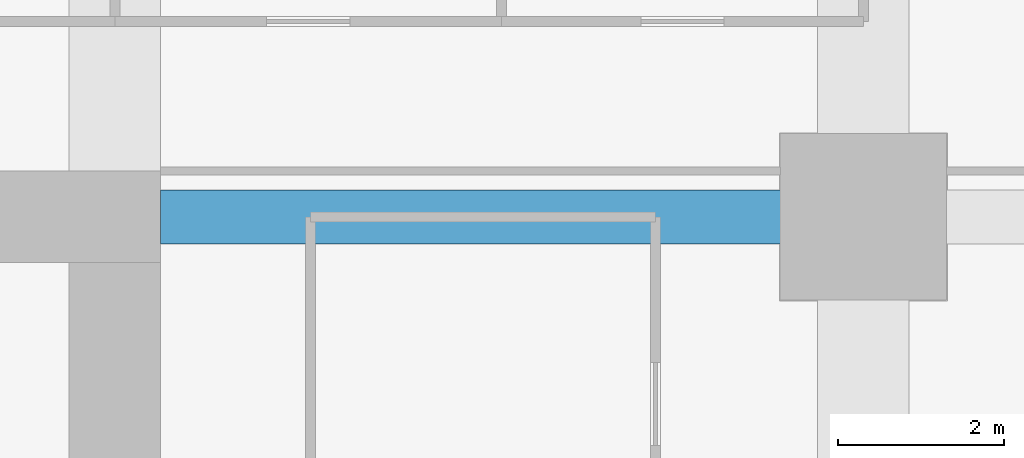
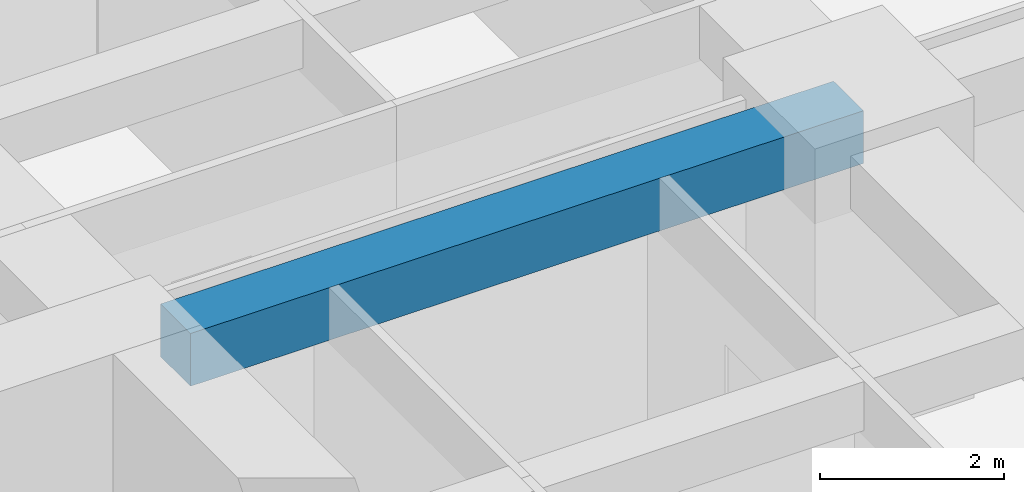
# One storey, part 31 of 40: 1 beam.
"""IFC4 building model written with IfcOpenShell, lengths in metres."""

from ifc_helpers import new_model, si_unit, direction, frame, origin, origin_2d, place, context, subcontext, project, spatial, rectangle, extrude, material, material_profile, profile_set, type_object, element, save


model = new_model("IFC4")

# Units and contexts
model_context = context("Model", 3, precision=1e-05, world=origin(), true_north=direction((0.0, 1.0)))
body_context = subcontext(model_context, "Body", "Model", "MODEL_VIEW")
ifc_project = project(units=[si_unit("LENGTHUNIT", "METRE"), si_unit("AREAUNIT", "SQUARE_METRE"), si_unit("VOLUMEUNIT", "CUBIC_METRE"), si_unit("PLANEANGLEUNIT", "RADIAN"), si_unit("MASSUNIT", "GRAM", prefix="KILO")], contexts=[model_context])

# Site, building, storey
site_placement = place(None, origin())
site = spatial("IfcSite", under=ifc_project, at=site_placement, CompositionType="ELEMENT")
building_placement = place(site_placement, origin())
building = spatial("IfcBuilding", under=site, at=building_placement, Name="Zorevar Civic Tower", CompositionType="ELEMENT")
storey_placement = place(building_placement, frame((0.0, 0.0, 93.0)))
storey = spatial("IfcBuildingStorey", under=building, at=storey_placement, Name="L22", CompositionType="ELEMENT", Elevation=93.0)

# Beam
ifc_material = material(Name="Concrete C50/60", Category="concrete")
ifc_material_profile = material_profile(ifc_material, rectangle(XDim=0.64990234375, YDim=0.699951171875, at=origin_2d()), Name="RC 650x700")
ifc_profile_set = profile_set([ifc_material_profile], Name="Concrete C50/60")
beam_type = type_object("IfcBeamType", Name="Beam RC 650x700", PredefinedType="BEAM", material=ifc_profile_set)
beam_placement = place(storey_placement, frame((45.550048828125, 36.0, 3.39990234375), z_axis=(1.0, 0.0, 0.0), x_axis=(0.0, 1.0, 0.0)))
element("IfcBeam", 1, at=beam_placement, inside=storey, type_object=beam_type, Name="Girder L23", PredefinedType="BEAM", context=body_context, shape_type="SweptSolid", body=[
    extrude(rectangle(XDim=0.64990234375, YDim=0.699951171875, at=origin_2d()), origin(), (0.0, 0.0, 1.0), 8.449951171875),
])

save(model, "model.ifc")
